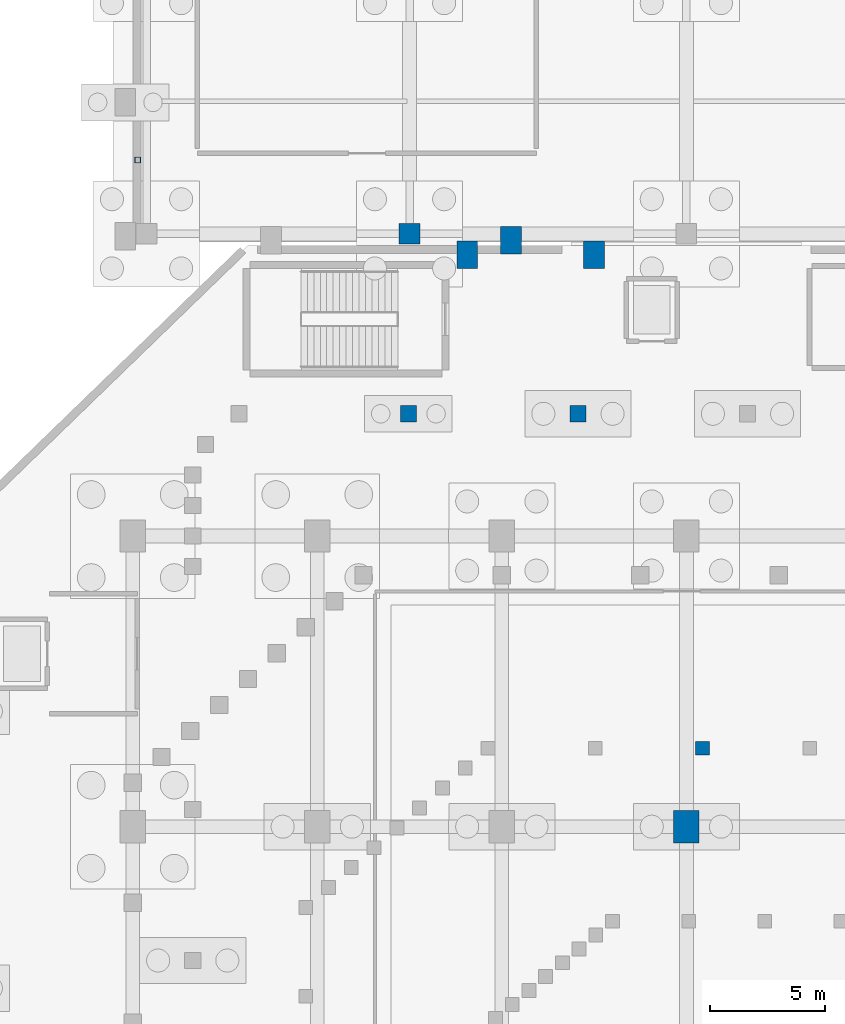
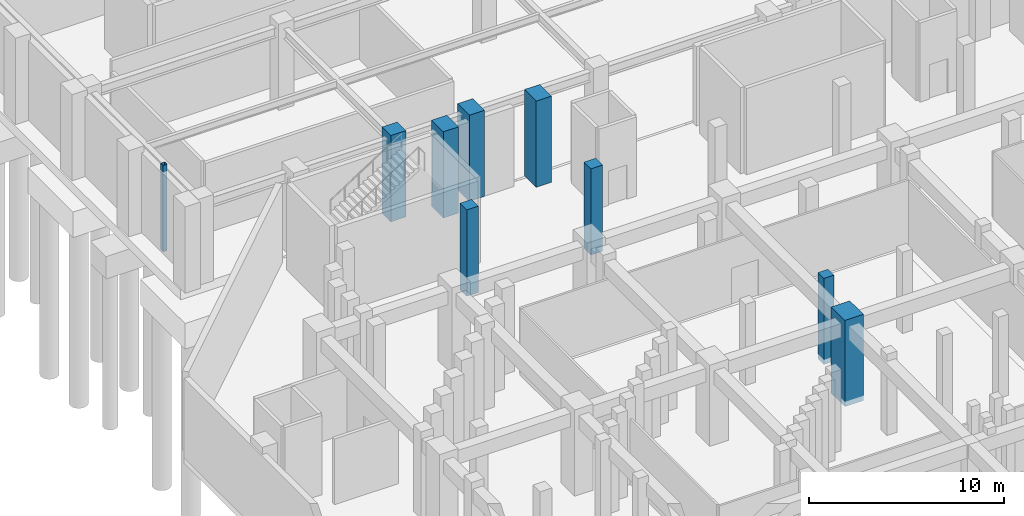
# One storey, part 8 of 27: 9 columns.
"""IFC4 building model written with IfcOpenShell, lengths in metres."""

from ifc_helpers import new_model, si_unit, derived_unit, direction, frame, origin, origin_2d, place, context, subcontext, project, spatial, rectangle, hollow_rectangle, extrude, material, material_profile, profile_set, type_object, element, save


model = new_model("IFC4")

# Units and contexts
model_context = context("Model", 3, precision=1e-05, world=origin(), true_north=direction((0.0, 1.0)))
body_context = subcontext(model_context, "Body", "Model", "MODEL_VIEW")
ifc_project = project(units=[si_unit("LENGTHUNIT", "METRE"), si_unit("AREAUNIT", "SQUARE_METRE"), si_unit("VOLUMEUNIT", "CUBIC_METRE"), si_unit("PLANEANGLEUNIT", "RADIAN"), si_unit("MASSUNIT", "GRAM", prefix="KILO"), derived_unit("THERMALTRANSMITTANCEUNIT", [(si_unit("MASSUNIT", "GRAM", prefix="KILO"), 1), (si_unit("TIMEUNIT", "SECOND"), -3), (si_unit("THERMODYNAMICTEMPERATUREUNIT", "KELVIN"), -1)])], contexts=[model_context])

# Site, building, storey
site_placement = place(None, origin())
site = spatial("IfcSite", under=ifc_project, at=site_placement, CompositionType="ELEMENT")
building_placement = place(site_placement, origin())
building = spatial("IfcBuilding", under=site, at=building_placement, Name="Valcora Ridge Arena", CompositionType="ELEMENT")
storey_placement = place(building_placement, frame((0.0, 0.0, -5.39990234375)))
storey = spatial("IfcBuildingStorey", under=building, at=storey_placement, Name="B1", CompositionType="ELEMENT", Elevation=-5.39990234375)

# Columns
ifc_material_1 = material(Name="Bush-hammered Andean travertine architectural concrete C45/55", Category="masonry")
ifc_material_profile_1 = material_profile(ifc_material_1, rectangle(XDim=0.89990234375, YDim=1.199951171875, at=origin_2d()), Name="RC 900x1200")
ifc_profile_set_1 = profile_set([ifc_material_profile_1], Name="Bush-hammered Andean travertine architectural concrete C45/55")
column_type_1 = type_object("IfcColumnType", Name="TY-COLUMN-C-BUTT-1200", PredefinedType="PILASTER", material=ifc_profile_set_1)
for number, where, z_axis, x_axis, name in (
    (1, (38.5, 107.800048828125, 0.0), (0.0, 0.0, 1.0), (1.0, 0.0, 0.0), "C-BUTT-1200 COL-C-BUTT-1200-0017"),
    (2, (44.0, 107.800048828125, 0.0), (0.0, 0.0, 1.0), (1.0, 0.0, 0.0), "C-BUTT-1200 COL-C-BUTT-1200-0021"),
    (3, (40.39990234375, 108.419921875, 0.0), (0.0, 0.0, 1.0), (1.0, 0.0, 0.0), "C-BUTT-1200 COL-C-BUTT-1200-0331"),
):
    element("IfcColumn", number, at=place(storey_placement, frame(where, z_axis=z_axis, x_axis=x_axis)), inside=storey, type_object=column_type_1, Name=name, PredefinedType="PILASTER", context=body_context, shape_type="SweptSolid", body=[
        extrude(rectangle(XDim=0.89990234375, YDim=1.199951171875, at=origin_2d()), origin(), (0.0, 0.0, 1.0), 5.39990234375),
    ])
ifc_material_2 = material(Name="Steel ASTM A500 Grade C", Category="steel")
ifc_material_profile_2 = material_profile(ifc_material_2, hollow_rectangle(XDim=0.25, YDim=0.25, WallThickness=0.012451171875, at=origin_2d()), Name="HSS250X250X12")
ifc_profile_set_2 = profile_set([ifc_material_profile_2], Name="Steel ASTM A500 Grade C")
column_type_2 = type_object("IfcColumnType", Name="TY-COLUMN-C-CBF250", PredefinedType="COLUMN", material=ifc_profile_set_2)
column_1_placement = place(storey_placement, frame((24.219970703125, 111.89990234375, 0.0), z_axis=(0.0, 0.0, 1.0), x_axis=(1.0, 0.0, 0.0)))
element("IfcColumn", 4, at=column_1_placement, inside=storey, type_object=column_type_2, Name="C-CBF250 COL-CBF-C-CBF250-0013", PredefinedType="COLUMN", context=body_context, shape_type="SweptSolid", body=[
    extrude(hollow_rectangle(XDim=0.25, YDim=0.25, WallThickness=0.012451171875, at=origin_2d()), origin(), (0.0, 0.0, 1.0), 5.39990234375),
])
ifc_material_3 = material(Name="Concrete C40/50", Category="concrete")
ifc_material_profile_3 = material_profile(ifc_material_3, rectangle(XDim=1.10009765625, YDim=1.39990234375, at=origin_2d()), Name="RC 1100x1400")
ifc_profile_set_3 = profile_set([ifc_material_profile_3], Name="Concrete C40/50")
column_type_3 = type_object("IfcColumnType", Name="TY-COLUMN-C-RC1100", PredefinedType="COLUMN", material=ifc_profile_set_3)
column_2_placement = place(storey_placement, frame((48.0, 83.0, 0.0), z_axis=(0.0, 0.0, 1.0), x_axis=(1.0, 0.0, 0.0)))
element("IfcColumn", 5, at=column_2_placement, inside=storey, type_object=column_type_3, Name="C-RC1100 COL-C-RC1100-0037", PredefinedType="COLUMN", context=body_context, shape_type="SweptSolid", body=[
    extrude(rectangle(XDim=1.10009765625, YDim=1.39990234375, at=origin_2d()), origin(), (0.0, 0.0, 1.0), 5.39990234375),
])
ifc_material_profile_4 = material_profile(ifc_material_3, rectangle(XDim=0.89990234375, YDim=0.89990234375, at=origin_2d()), Name="RC 900x900")
ifc_profile_set_4 = profile_set([ifc_material_profile_4], Name="Concrete C40/50")
column_type_4 = type_object("IfcColumnType", Name="TY-COLUMN-C-RC900B", PredefinedType="COLUMN", material=ifc_profile_set_4)
column_3_placement = place(storey_placement, frame((36.0, 108.699951171875, 0.0), z_axis=(0.0, 0.0, 1.0), x_axis=(1.0, 0.0, 0.0)))
element("IfcColumn", 6, at=column_3_placement, inside=storey, type_object=column_type_4, Name="C-RC900B COL-C-RC900B-0010", PredefinedType="COLUMN", context=body_context, shape_type="SweptSolid", body=[
    extrude(rectangle(XDim=0.89990234375, YDim=0.89990234375, at=origin_2d()), origin(), (0.0, 0.0, 1.0), 5.39990234375),
])
ifc_material_profile_5 = material_profile(ifc_material_3, rectangle(XDim=0.60009765625, YDim=0.60009765625, at=origin_2d()), Name="RC 600x600")
ifc_profile_set_5 = profile_set([ifc_material_profile_5], Name="Concrete C40/50")
column_type_5 = type_object("IfcColumnType", Name="TY-COLUMN-C-RKR600", PredefinedType="COLUMN", material=ifc_profile_set_5)
column_4_placement = place(storey_placement, frame((48.699951171875, 86.39990234375, 0.0), z_axis=(0.0, 0.0, 1.0), x_axis=(1.0, 0.0, 0.0)))
element("IfcColumn", 7, at=column_4_placement, inside=storey, type_object=column_type_5, Name="C-RKR600 COL-RK-C-RKR600-0073", PredefinedType="COLUMN", context=body_context, shape_type="SweptSolid", body=[
    extrude(rectangle(XDim=0.60009765625, YDim=0.60009765625, at=origin_2d()), origin(), (0.0, 0.0, 1.0), 5.39990234375),
])
ifc_material_profile_6 = material_profile(ifc_material_3, rectangle(XDim=0.699951171875, YDim=0.699951171875, at=origin_2d()), Name="RC 700x700")
ifc_profile_set_6 = profile_set([ifc_material_profile_6], Name="Concrete C40/50")
column_type_6 = type_object("IfcColumnType", Name="TY-COLUMN-C-RKRU700B", PredefinedType="COLUMN", material=ifc_profile_set_6)
for number, where, z_axis, x_axis, name in (
    (8, (43.300048828125, 100.89990234375, 0.0), (0.0, 0.0, 1.0), (1.0, 0.0, 0.0), "C-RKRU700B COL-RK-C-RKRU700B-0181"),
    (9, (35.949951171875, 100.89990234375, 0.0), (0.0, 0.0, 1.0), (1.0, 0.0, 0.0), "C-RKRU700B COL-RK-C-RKRU700B-0186"),
):
    element("IfcColumn", number, at=place(storey_placement, frame(where, z_axis=z_axis, x_axis=x_axis)), inside=storey, type_object=column_type_6, Name=name, PredefinedType="COLUMN", context=body_context, shape_type="SweptSolid", body=[
        extrude(rectangle(XDim=0.699951171875, YDim=0.699951171875, at=origin_2d()), origin(), (0.0, 0.0, 1.0), 5.39990234375),
    ])

save(model, "model.ifc")
